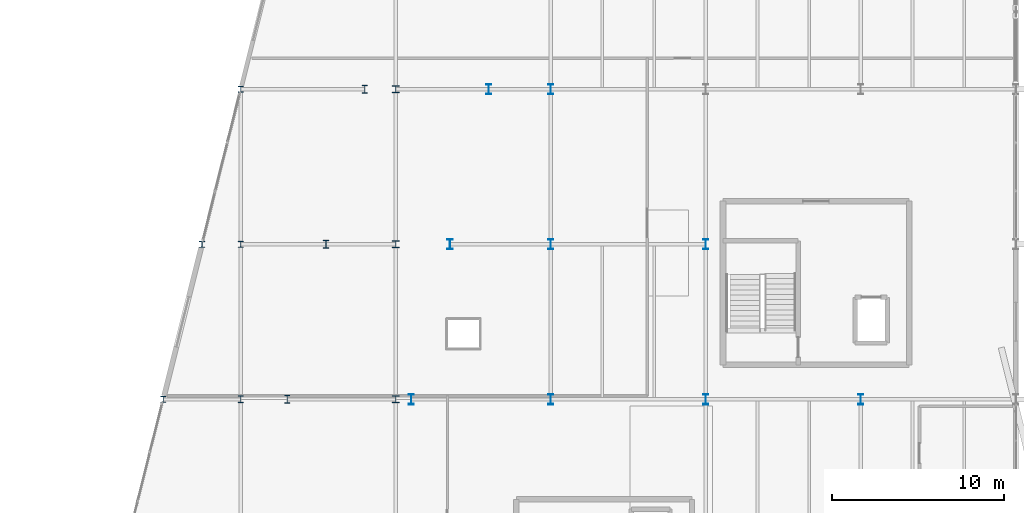
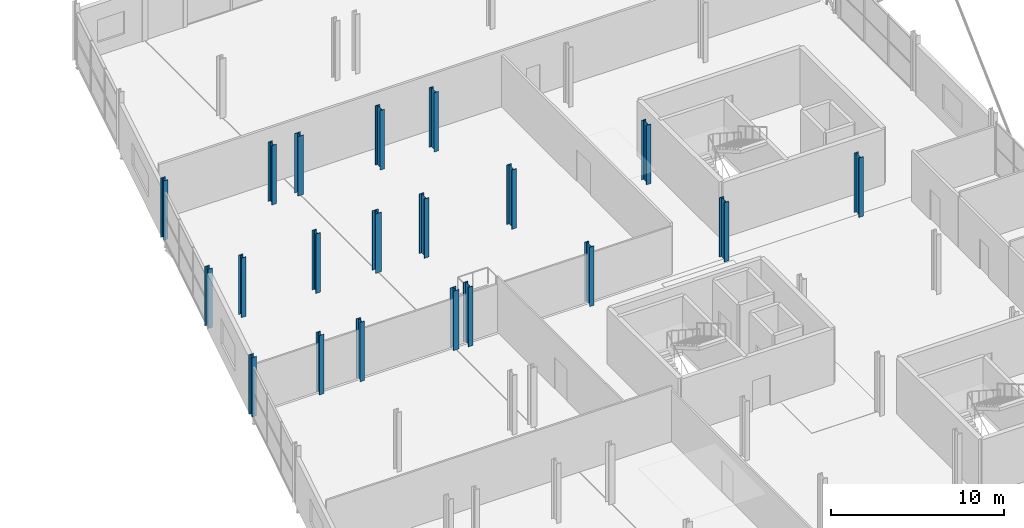
# One storey, part 12 of 103: 20 columns.
"""IFC4 building model written with IfcOpenShell, lengths in metres."""

from ifc_helpers import new_model, si_unit, direction, frame, origin, origin_2d, place, context, subcontext, project, spatial, i_section, extrude, material, material_profile, profile_set, type_object, element, save


model = new_model("IFC4")

# Units and contexts
model_context = context("Model", 3, precision=1e-05, world=origin(), true_north=direction((0.0, 1.0)))
body_context = subcontext(model_context, "Body", "Model", "MODEL_VIEW")
ifc_project = project(units=[si_unit("LENGTHUNIT", "METRE"), si_unit("AREAUNIT", "SQUARE_METRE"), si_unit("VOLUMEUNIT", "CUBIC_METRE"), si_unit("PLANEANGLEUNIT", "RADIAN"), si_unit("MASSUNIT", "GRAM", prefix="KILO")], contexts=[model_context])

# Site, building, storey
site_placement = place(None, origin())
site = spatial("IfcSite", under=ifc_project, at=site_placement, CompositionType="ELEMENT")
building_placement = place(site_placement, origin())
building = spatial("IfcBuilding", under=site, at=building_placement, Name="Deido Ridge Mobility Hub", CompositionType="ELEMENT")
storey_placement = place(building_placement, frame((0.0, 0.0, 12.60009765625)))
storey = spatial("IfcBuildingStorey", under=building, at=storey_placement, Name="L03", CompositionType="ELEMENT", Elevation=12.60009765625)

# Columns
ifc_material = material(Name="Steel S355J2 EN 10025-2", Category="steel")
ifc_material_profile_1 = material_profile(ifc_material, i_section(OverallWidth=0.39892578125, OverallDepth=0.39306640625, WebThickness=0.017578125, FlangeThickness=0.028076171875, FilletRadius=0.014892578125, at=origin_2d()), Name="HD 400x287")
ifc_profile_set_1 = profile_set([ifc_material_profile_1], Name="Steel S355J2 EN 10025-2")
column_type_1 = type_object("IfcColumnType", Name="COL-HD400-287", PredefinedType="COLUMN", material=ifc_profile_set_1)
for number, where, z_axis, x_axis, name in (
    (1, (144.0, 36.0, 0.0), (0.0, 0.0, 1.0), (1.0, 0.0, 0.0), "Structural column C2"),
    (2, (144.0, 45.0, 0.0), (0.0, 0.0, 1.0), (1.0, 0.0, 0.0), "Structural column C2"),
    (3, (144.0, 54.0, 0.0), (0.0, 0.0, 1.0), (1.0, 0.0, 0.0), "Structural column C2"),
):
    element("IfcColumn", number, at=place(storey_placement, frame(where, z_axis=z_axis, x_axis=x_axis)), inside=storey, type_object=column_type_1, Name=name, PredefinedType="COLUMN", context=body_context, shape_type="SweptSolid", body=[
        extrude(i_section(OverallWidth=0.39892578125, OverallDepth=0.39306640625, WebThickness=0.017578125, FlangeThickness=0.028076171875, FilletRadius=0.014892578125, at=origin_2d()), origin(), (0.0, 0.0, 1.0), 4.199951171875),
    ])
ifc_material_profile_2 = material_profile(ifc_material, i_section(OverallWidth=0.300048828125, OverallDepth=0.360107421875, WebThickness=0.012451171875, FlangeThickness=0.0224609375, FilletRadius=0.027099609375, at=origin_2d()), Name="HEB 360")
ifc_profile_set_2 = profile_set([ifc_material_profile_2], Name="Steel S355J2 EN 10025-2")
column_type_2 = type_object("IfcColumnType", Name="COL-HEB360", PredefinedType="COLUMN", material=ifc_profile_set_2)
for number, where, z_axis, x_axis, name in (
    (4, (130.5, 36.0, 0.0), (0.0, 0.0, 1.0), (1.0, 0.0, 0.0), "Structural column C8"),
    (5, (132.75, 45.0, 0.0), (0.0, 0.0, 1.0), (1.0, 0.0, 0.0), "Structural column C8"),
    (6, (135.0, 45.0, 0.0), (0.0, 0.0, 1.0), (1.0, 0.0, 0.0), "Structural column C8"),
    (7, (135.0, 54.0, 0.0), (0.0, 0.0, 1.0), (1.0, 0.0, 0.0), "Structural column C8"),
):
    element("IfcColumn", number, at=place(storey_placement, frame(where, z_axis=z_axis, x_axis=x_axis)), inside=storey, type_object=column_type_2, Name=name, PredefinedType="COLUMN", context=body_context, shape_type="SweptSolid", body=[
        extrude(i_section(OverallWidth=0.300048828125, OverallDepth=0.360107421875, WebThickness=0.012451171875, FlangeThickness=0.0224609375, FilletRadius=0.027099609375, at=origin_2d()), origin(), (0.0, 0.0, 1.0), 4.199951171875),
    ])
ifc_material_profile_3 = material_profile(ifc_material, i_section(OverallWidth=0.300048828125, OverallDepth=0.39990234375, WebThickness=0.013427734375, FlangeThickness=0.02392578125, FilletRadius=0.027099609375, at=origin_2d()), Name="HEB 400")
ifc_profile_set_3 = profile_set([ifc_material_profile_3], Name="Steel S355J2 EN 10025-2")
column_type_3 = type_object("IfcColumnType", Name="COL-HEB400", PredefinedType="COLUMN", material=ifc_profile_set_3)
column_placement = place(storey_placement, frame((135.0, 36.0, 0.0), z_axis=(0.0, 0.0, 1.0), x_axis=(1.0, 0.0, 0.0)))
element("IfcColumn", 8, at=column_placement, inside=storey, type_object=column_type_3, Name="Structural column C7", PredefinedType="COLUMN", context=body_context, shape_type="SweptSolid", body=[
    extrude(i_section(OverallWidth=0.300048828125, OverallDepth=0.39990234375, WebThickness=0.013427734375, FlangeThickness=0.02392578125, FilletRadius=0.027099609375, at=origin_2d()), origin(), (0.0, 0.0, 1.0), 4.199951171875),
])
ifc_material_profile_4 = material_profile(ifc_material, i_section(OverallWidth=0.300048828125, OverallDepth=0.449951171875, WebThickness=0.013916015625, FlangeThickness=0.02587890625, FilletRadius=0.027099609375, at=origin_2d()), Name="HEB 450")
ifc_profile_set_4 = profile_set([ifc_material_profile_4], Name="Steel S355J2 EN 10025-2")
column_type_4 = type_object("IfcColumnType", Name="COL-HEB450", PredefinedType="COLUMN", material=ifc_profile_set_4)
for number, where, z_axis, x_axis, name in (
    (9, (137.699951171875, 36.0, 0.0), (0.0, 0.0, 1.0), (1.0, 0.0, 0.0), "Structural column C6"),
    (10, (139.949951171875, 45.0, 0.0), (0.0, 0.0, 1.0), (1.0, 0.0, 0.0), "Structural column C6"),
    (11, (142.199951171875, 54.0, 0.0), (0.0, 0.0, 1.0), (1.0, 0.0, 0.0), "Structural column C6"),
):
    element("IfcColumn", number, at=place(storey_placement, frame(where, z_axis=z_axis, x_axis=x_axis)), inside=storey, type_object=column_type_4, Name=name, PredefinedType="COLUMN", context=body_context, shape_type="SweptSolid", body=[
        extrude(i_section(OverallWidth=0.300048828125, OverallDepth=0.449951171875, WebThickness=0.013916015625, FlangeThickness=0.02587890625, FilletRadius=0.027099609375, at=origin_2d()), origin(), (0.0, 0.0, 1.0), 4.199951171875),
    ])
ifc_material_profile_5 = material_profile(ifc_material, i_section(OverallWidth=0.300048828125, OverallDepth=0.60009765625, WebThickness=0.015380859375, FlangeThickness=0.030029296875, FilletRadius=0.027099609375, at=origin_2d()), Name="HEB 600")
ifc_profile_set_5 = profile_set([ifc_material_profile_5], Name="Steel S355J2 EN 10025-2")
column_type_5 = type_object("IfcColumnType", Name="COL-HEB600", PredefinedType="COLUMN", material=ifc_profile_set_5)
for number, where, z_axis, x_axis, name in (
    (12, (144.89990234375, 36.0, 0.0), (0.0, 0.0, 1.0), (1.0, 0.0, 0.0), "Structural column C4"),
    (13, (153.0, 36.0, 0.0), (0.0, 0.0, 1.0), (1.0, 0.0, 0.0), "Structural column C4"),
    (14, (162.0, 36.0, 0.0), (0.0, 0.0, 1.0), (1.0, 0.0, 0.0), "Structural column C4"),
    (15, (171.0, 36.0, 0.0), (0.0, 0.0, 1.0), (1.0, 0.0, 0.0), "Structural column C4"),
    (16, (147.14990234375, 45.0, 0.0), (0.0, 0.0, 1.0), (1.0, 0.0, 0.0), "Structural column C4"),
    (17, (153.0, 45.0, 0.0), (0.0, 0.0, 1.0), (1.0, 0.0, 0.0), "Structural column C4"),
    (18, (162.0, 45.0, 0.0), (0.0, 0.0, 1.0), (1.0, 0.0, 0.0), "Structural column C4"),
    (19, (149.39990234375, 54.0, 0.0), (0.0, 0.0, 1.0), (1.0, 0.0, 0.0), "Structural column C4"),
    (20, (153.0, 54.0, 0.0), (0.0, 0.0, 1.0), (1.0, 0.0, 0.0), "Structural column C4"),
):
    element("IfcColumn", number, at=place(storey_placement, frame(where, z_axis=z_axis, x_axis=x_axis)), inside=storey, type_object=column_type_5, Name=name, PredefinedType="COLUMN", context=body_context, shape_type="SweptSolid", body=[
        extrude(i_section(OverallWidth=0.300048828125, OverallDepth=0.60009765625, WebThickness=0.015380859375, FlangeThickness=0.030029296875, FilletRadius=0.027099609375, at=origin_2d()), origin(), (0.0, 0.0, 1.0), 4.199951171875),
    ])

save(model, "model.ifc")
